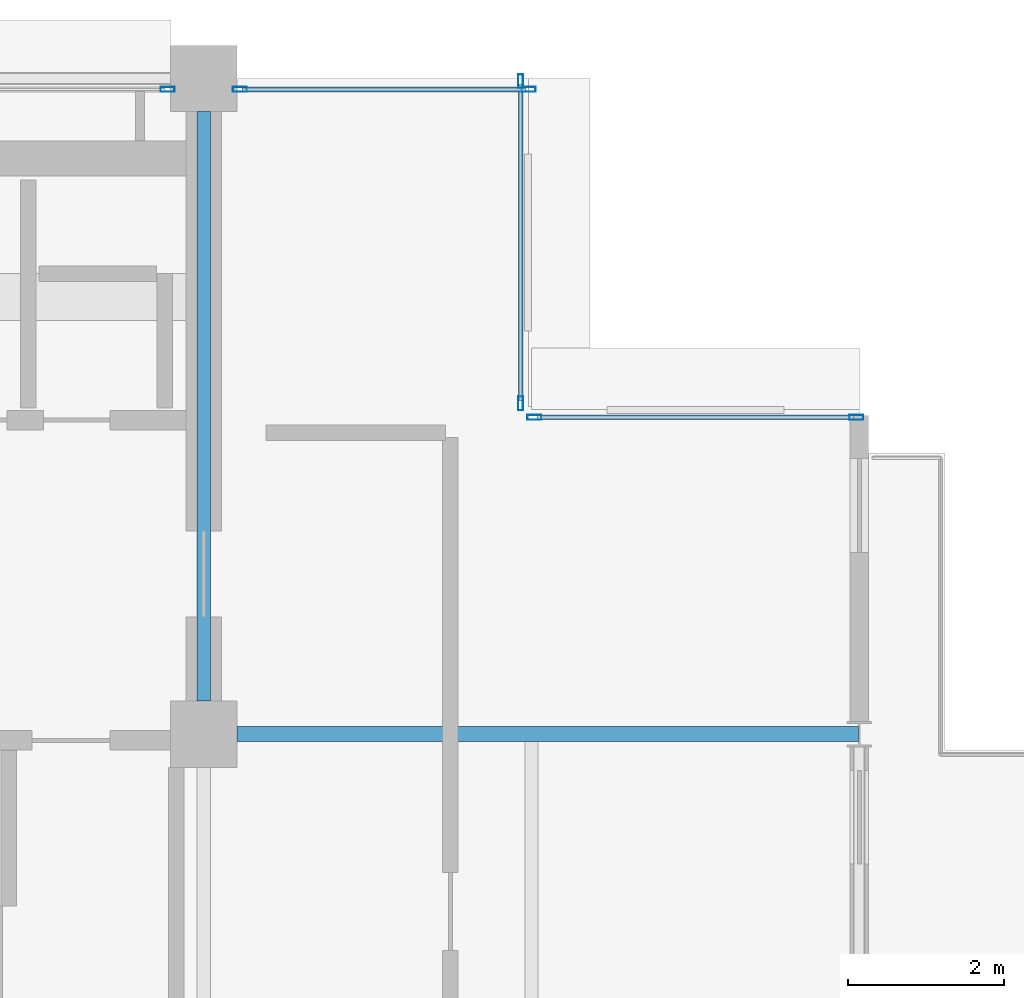
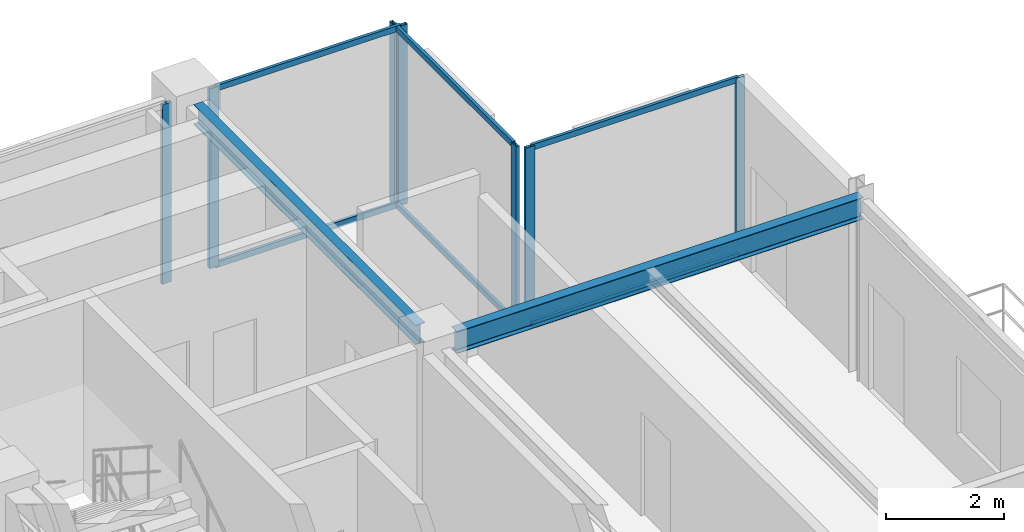
# One storey, part 19 of 27: 13 members, 2 beams, 4 elements without a shape of their own.
"""IFC4 building model written with IfcOpenShell, lengths in metres."""

from ifc_helpers import new_model, si_unit, direction, frame, origin, origin_2d, place, context, subcontext, project, spatial, hollow_rectangle, i_section, extrude, material, layer, layer_set, material_profile, profile_set, type_object, element, aggregate, save


model = new_model("IFC4")

# Units and contexts
model_context = context("Model", 3, precision=1e-05, world=origin(), true_north=direction((0.0, 1.0)))
body_context = subcontext(model_context, "Body", "Model", "MODEL_VIEW")
ifc_project = project(units=[si_unit("LENGTHUNIT", "METRE"), si_unit("AREAUNIT", "SQUARE_METRE"), si_unit("VOLUMEUNIT", "CUBIC_METRE"), si_unit("PLANEANGLEUNIT", "RADIAN"), si_unit("MASSUNIT", "GRAM", prefix="KILO")], contexts=[model_context])

# Site, building, storey
site_placement = place(None, origin())
site = spatial("IfcSite", under=ifc_project, at=site_placement, CompositionType="ELEMENT")
building_placement = place(site_placement, origin())
building = spatial("IfcBuilding", under=site, at=building_placement, Name="Nerrivon Quay Data Exchange", CompositionType="ELEMENT")
storey_placement = place(building_placement, frame((0.0, 0.0, 278.199951171875)))
storey = spatial("IfcBuildingStorey", under=building, at=storey_placement, Name="L66", CompositionType="ELEMENT", Elevation=278.199951171875)

# Beams
ifc_material_1 = material(Name="Steel Grade 350", Category="steel")
ifc_material_profile_1 = material_profile(ifc_material_1, i_section(OverallWidth=0.18994140625, OverallDepth=0.4541015625, WebThickness=0.008544921875, FlangeThickness=0.0126953125, FilletRadius=0.011474609375, at=origin_2d()), Name="460UB67.1")
ifc_profile_set_1 = profile_set([ifc_material_profile_1], Name="Steel Grade 350")
beam_type_1 = type_object("IfcBeamType", Name="BM-G6-460UB67", PredefinedType="BEAM", material=ifc_profile_set_1)
beam_1_placement = place(storey_placement, frame((17.22509765625, 33.60009765625, 3.498046875), z_axis=(1.0, 0.0, 0.0), x_axis=(0.0, 1.0, 0.0)))
element("IfcBeam", 1, at=beam_1_placement, inside=storey, type_object=beam_type_1, Name="L66 EW Girder Y=33.6 (16.8..25.2)", PredefinedType="BEAM", context=body_context, shape_type="SweptSolid", body=[
    extrude(i_section(OverallWidth=0.18994140625, OverallDepth=0.4541015625, WebThickness=0.008544921875, FlangeThickness=0.0126953125, FilletRadius=0.011474609375, at=origin_2d()), origin(), (0.0, 0.0, 1.0), 7.967041015625),
])
ifc_material_profile_2 = material_profile(ifc_material_1, i_section(OverallWidth=0.177978515625, OverallDepth=0.406005859375, WebThickness=0.0078125, FlangeThickness=0.0126953125, FilletRadius=0.011474609375, at=origin_2d()), Name="410UB59.7")
ifc_profile_set_2 = profile_set([ifc_material_profile_2], Name="Steel Grade 350")
beam_type_2 = type_object("IfcBeamType", Name="BM-J1-410UB60", PredefinedType="JOIST", material=ifc_profile_set_2)
beam_2_placement = place(storey_placement, frame((16.800048828125, 34.02490234375, 3.52197265625), z_axis=(0.0, 1.0, 0.0), x_axis=(-1.0, 0.0, 0.0)))
element("IfcBeam", 2, at=beam_2_placement, inside=storey, type_object=beam_type_2, Name="L66 NS Girder X=16.8 (33.6..42.0)", PredefinedType="JOIST", context=body_context, shape_type="SweptSolid", body=[
    extrude(i_section(OverallWidth=0.177978515625, OverallDepth=0.406005859375, WebThickness=0.0078125, FlangeThickness=0.0126953125, FilletRadius=0.011474609375, at=origin_2d()), origin(), (0.0, 0.0, 1.0), 7.550048828125),
])

# Curtain wall, member
ifc_material_2 = material(Name="Anodised aluminium 6063-T6", Category="aluminium")
ifc_layer = layer(ifc_material_2, 0.195068359375)
ifc_layer_set = layer_set([ifc_layer], Name="Anodised aluminium 6063-T6")
curtain_wall_type = type_object("IfcCurtainWallType", Name="CW-SYS-06", PredefinedType="NOTDEFINED", material=ifc_layer_set)
curtain_wall_1_placement = place(storey_placement, origin())
curtain_wall_1 = element("IfcCurtainWall", 3, at=curtain_wall_1_placement, inside=storey, type_object=curtain_wall_type, Name="L66 Unitised Curtain Wall 18", PredefinedType="NOTDEFINED")
ifc_material_profile_3 = material_profile(ifc_material_2, hollow_rectangle(XDim=0.06494140625, YDim=0.179931640625, WallThickness=0.00341796875, at=origin_2d()), Name="ALU-MULL-180x65")
ifc_profile_set_3 = profile_set([ifc_material_profile_3], Name="Anodised aluminium 6063-T6")
member_type_1 = type_object("IfcMemberType", Name="CWM-180x65", PredefinedType="MULLION", material=ifc_profile_set_3)
member_1_placement = place(storey_placement, frame((16.33740234375, 41.860107421875, 0.0), z_axis=(0.0, 0.0, 1.0), x_axis=(0.0, 1.0, 0.0)))
member_1 = element("IfcMember", 4, at=member_1_placement, type_object=member_type_1, Name="CW06 mullion 2", PredefinedType="MULLION", context=body_context, shape_type="SweptSolid", body=[
    extrude(hollow_rectangle(XDim=0.06494140625, YDim=0.179931640625, WallThickness=0.00341796875, at=origin_2d()), origin(), (0.0, 0.0, 1.0), 3.72509765625),
])
aggregate(curtain_wall_1, [member_1])

# Curtain wall, members
curtain_wall_2_placement = place(storey_placement, origin())
curtain_wall_2 = element("IfcCurtainWall", 5, at=curtain_wall_2_placement, inside=storey, type_object=curtain_wall_type, Name="L66 Unitised Curtain Wall 19", PredefinedType="NOTDEFINED")
member_2_placement = place(storey_placement, frame((17.262451171875, 41.860107421875, 0.0), z_axis=(0.0, 0.0, 1.0), x_axis=(0.0, 1.0, 0.0)))
member_2 = element("IfcMember", 6, at=member_2_placement, type_object=member_type_1, Name="CW06 mullion 1", PredefinedType="MULLION", context=body_context, shape_type="SweptSolid", body=[
    extrude(hollow_rectangle(XDim=0.06494140625, YDim=0.179931640625, WallThickness=0.00341796875, at=origin_2d()), origin(), (0.0, 0.0, 1.0), 3.72509765625),
])
member_3_placement = place(storey_placement, frame((20.96240234375, 41.860107421875, 0.0), z_axis=(0.0, 0.0, 1.0), x_axis=(0.0, 1.0, 0.0)))
member_3 = element("IfcMember", 7, at=member_3_placement, type_object=member_type_1, Name="CW06 mullion 2", PredefinedType="MULLION", context=body_context, shape_type="SweptSolid", body=[
    extrude(hollow_rectangle(XDim=0.06494140625, YDim=0.179931640625, WallThickness=0.00341796875, at=origin_2d()), origin(), (0.0, 0.0, 1.0), 3.72509765625),
])

curtain_wall_3_placement = place(storey_placement, origin())
curtain_wall_3 = element("IfcCurtainWall", 8, at=curtain_wall_3_placement, inside=storey, type_object=curtain_wall_type, Name="L66 Unitised Curtain Wall 20", PredefinedType="NOTDEFINED")
member_4_placement = place(storey_placement, frame((20.860107421875, 41.96240234375, 0.0), z_axis=(0.0, 0.0, 1.0), x_axis=(1.0, 0.0, 0.0)))
member_4 = element("IfcMember", 9, at=member_4_placement, type_object=member_type_1, Name="CW06 mullion 1", PredefinedType="MULLION", context=body_context, shape_type="SweptSolid", body=[
    extrude(hollow_rectangle(XDim=0.06494140625, YDim=0.179931640625, WallThickness=0.00341796875, at=origin_2d()), origin(), (0.0, 0.0, 1.0), 3.72509765625),
])
member_5_placement = place(storey_placement, frame((20.860107421875, 37.83740234375, 0.0), z_axis=(0.0, 0.0, 1.0), x_axis=(1.0, 0.0, 0.0)))
member_5 = element("IfcMember", 10, at=member_5_placement, type_object=member_type_1, Name="CW06 mullion 2", PredefinedType="MULLION", context=body_context, shape_type="SweptSolid", body=[
    extrude(hollow_rectangle(XDim=0.06494140625, YDim=0.179931640625, WallThickness=0.00341796875, at=origin_2d()), origin(), (0.0, 0.0, 1.0), 3.72509765625),
])

curtain_wall_4_placement = place(storey_placement, origin())
curtain_wall_4 = element("IfcCurtainWall", 11, at=curtain_wall_4_placement, inside=storey, type_object=curtain_wall_type, Name="L66 Unitised Curtain Wall 21", PredefinedType="NOTDEFINED")
member_6_placement = place(storey_placement, frame((21.03759765625, 37.659912109375, 0.0), z_axis=(0.0, 0.0, 1.0), x_axis=(0.0, 1.0, 0.0)))
member_6 = element("IfcMember", 12, at=member_6_placement, type_object=member_type_1, Name="CW06 mullion 1", PredefinedType="MULLION", context=body_context, shape_type="SweptSolid", body=[
    extrude(hollow_rectangle(XDim=0.06494140625, YDim=0.179931640625, WallThickness=0.00341796875, at=origin_2d()), origin(), (0.0, 0.0, 1.0), 3.72509765625),
])
member_7_placement = place(storey_placement, frame((25.16259765625, 37.659912109375, 0.0), z_axis=(0.0, 0.0, 1.0), x_axis=(0.0, 1.0, 0.0)))
member_7 = element("IfcMember", 13, at=member_7_placement, type_object=member_type_1, Name="CW06 mullion 2", PredefinedType="MULLION", context=body_context, shape_type="SweptSolid", body=[
    extrude(hollow_rectangle(XDim=0.06494140625, YDim=0.179931640625, WallThickness=0.00341796875, at=origin_2d()), origin(), (0.0, 0.0, 1.0), 3.72509765625),
])

# Member
ifc_material_profile_4 = material_profile(ifc_material_2, hollow_rectangle(XDim=0.06005859375, YDim=0.1201171875, WallThickness=0.003173828125, at=origin_2d()), Name="ALU-TRAN-120x60")
ifc_profile_set_4 = profile_set([ifc_material_profile_4], Name="Anodised aluminium 6063-T6")
member_type_2 = type_object("IfcMemberType", Name="CWT-120x60", PredefinedType="USERDEFINED", material=ifc_profile_set_4)
member_8_placement = place(storey_placement, frame((17.300048828125, 41.860107421875, 0.032470703125), z_axis=(1.0, 0.0, 0.0), x_axis=(0.0, 1.0, 0.0)))
member_8 = element("IfcMember", 14, at=member_8_placement, type_object=member_type_2, Name="CW06 transom 1.1", ObjectType="TRANSOM", PredefinedType="USERDEFINED", context=body_context, shape_type="SweptSolid", body=[
    extrude(hollow_rectangle(XDim=0.06005859375, YDim=0.1201171875, WallThickness=0.003173828125, at=origin_2d()), origin(), (0.0, 0.0, 1.0), 3.625),
])

member_9_placement = place(storey_placement, frame((17.300048828125, 41.860107421875, 3.692626953125), z_axis=(1.0, 0.0, 0.0), x_axis=(0.0, 1.0, 0.0)))
member_9 = element("IfcMember", 15, at=member_9_placement, type_object=member_type_2, Name="CW06 transom 1.2", ObjectType="TRANSOM", PredefinedType="USERDEFINED", context=body_context, shape_type="SweptSolid", body=[
    extrude(hollow_rectangle(XDim=0.06005859375, YDim=0.1201171875, WallThickness=0.003173828125, at=origin_2d()), origin(), (0.0, 0.0, 1.0), 3.625),
])

aggregate(curtain_wall_2, [member_2, member_3, member_8, member_9])

member_10_placement = place(storey_placement, frame((20.860107421875, 41.925048828125, 0.032470703125), z_axis=(0.0, -1.0, 0.0), x_axis=(1.0, 0.0, 0.0)))
member_10 = element("IfcMember", 16, at=member_10_placement, type_object=member_type_2, Name="CW06 transom 1.1", ObjectType="TRANSOM", PredefinedType="USERDEFINED", context=body_context, shape_type="SweptSolid", body=[
    extrude(hollow_rectangle(XDim=0.06005859375, YDim=0.1201171875, WallThickness=0.003173828125, at=origin_2d()), origin(), (0.0, 0.0, 1.0), 4.050048828125),
])

member_11_placement = place(storey_placement, frame((20.860107421875, 41.925048828125, 3.692626953125), z_axis=(0.0, -1.0, 0.0), x_axis=(1.0, 0.0, 0.0)))
member_11 = element("IfcMember", 17, at=member_11_placement, type_object=member_type_2, Name="CW06 transom 1.2", ObjectType="TRANSOM", PredefinedType="USERDEFINED", context=body_context, shape_type="SweptSolid", body=[
    extrude(hollow_rectangle(XDim=0.06005859375, YDim=0.1201171875, WallThickness=0.003173828125, at=origin_2d()), origin(), (0.0, 0.0, 1.0), 4.050048828125),
])

aggregate(curtain_wall_3, [member_4, member_5, member_10, member_11])

member_12_placement = place(storey_placement, frame((21.074951171875, 37.659912109375, 0.032470703125), z_axis=(1.0, 0.0, 0.0), x_axis=(0.0, 1.0, 0.0)))
member_12 = element("IfcMember", 18, at=member_12_placement, type_object=member_type_2, Name="CW06 transom 1.1", ObjectType="TRANSOM", PredefinedType="USERDEFINED", context=body_context, shape_type="SweptSolid", body=[
    extrude(hollow_rectangle(XDim=0.06005859375, YDim=0.1201171875, WallThickness=0.003173828125, at=origin_2d()), origin(), (0.0, 0.0, 1.0), 4.050048828125),
])

member_13_placement = place(storey_placement, frame((21.074951171875, 37.659912109375, 3.692626953125), z_axis=(1.0, 0.0, 0.0), x_axis=(0.0, 1.0, 0.0)))
member_13 = element("IfcMember", 19, at=member_13_placement, type_object=member_type_2, Name="CW06 transom 1.2", ObjectType="TRANSOM", PredefinedType="USERDEFINED", context=body_context, shape_type="SweptSolid", body=[
    extrude(hollow_rectangle(XDim=0.06005859375, YDim=0.1201171875, WallThickness=0.003173828125, at=origin_2d()), origin(), (0.0, 0.0, 1.0), 4.050048828125),
])

aggregate(curtain_wall_4, [member_6, member_7, member_12, member_13])

save(model, "model.ifc")
